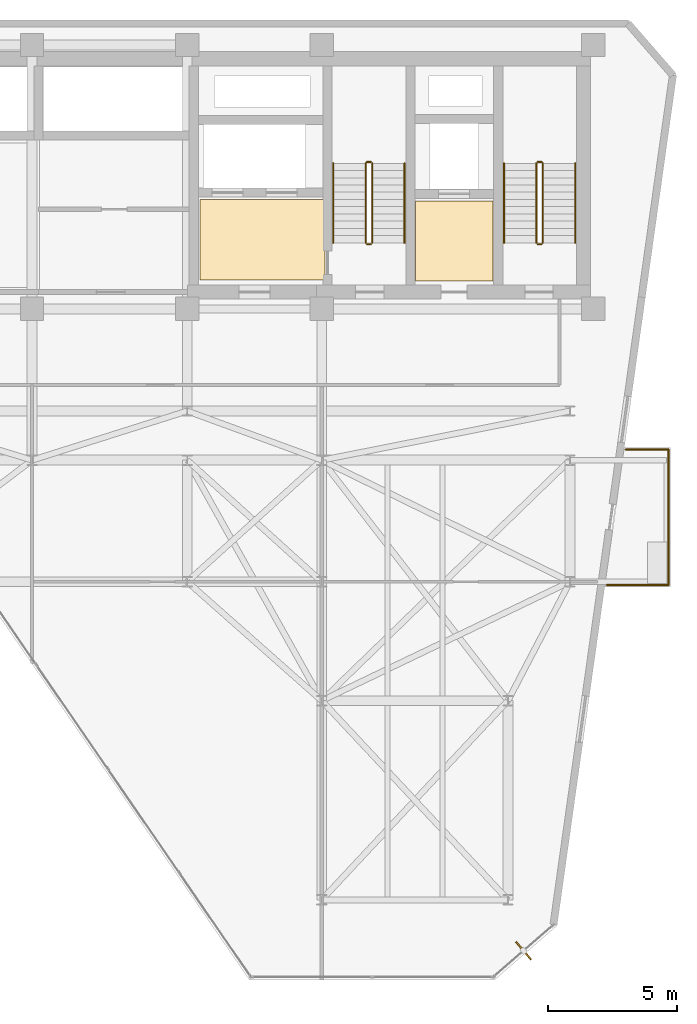
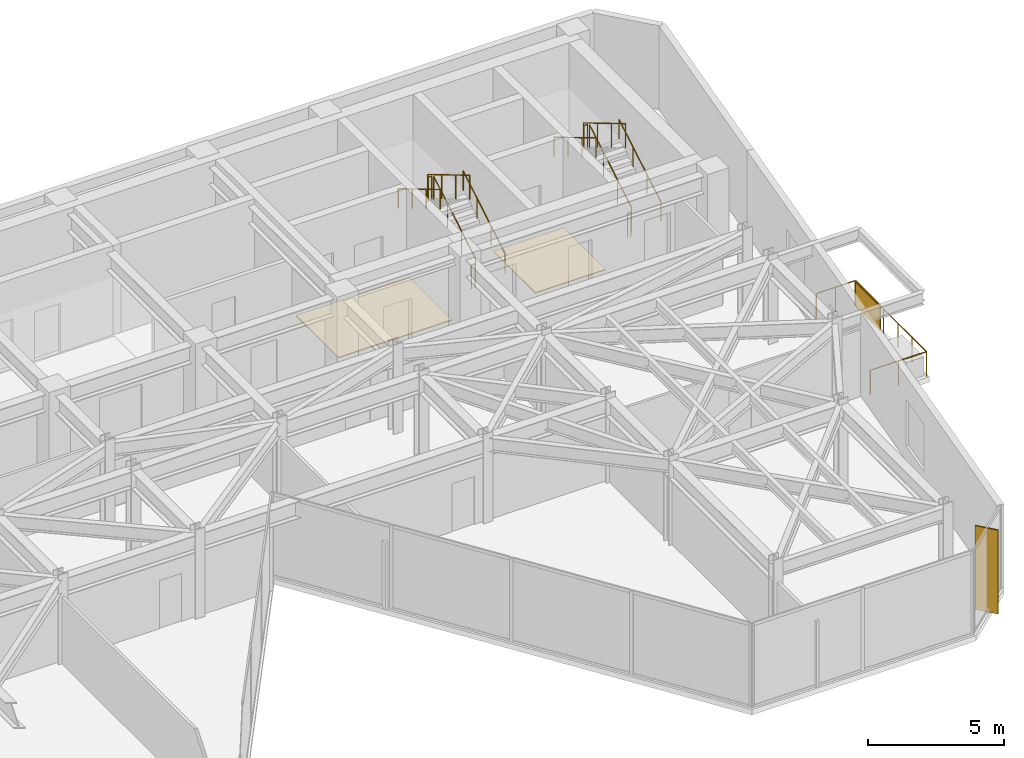
# One storey, part 26 of 26: 15 railings, 2 coverings, 2 shading devices.
"""IFC4 building model written with IfcOpenShell, lengths in metres."""

from ifc_helpers import new_model, si_unit, direction, frame, origin, origin_2d, place, context, subcontext, project, spatial, polyline, rectangle, circle, outline, extrude, material, layer, layer_set, type_object, element, save


model = new_model("IFC4")

# Units and contexts
model_context = context("Model", 3, precision=1e-05, world=origin(), true_north=direction((0.0, 1.0)))
body_context = subcontext(model_context, "Body", "Model", "MODEL_VIEW")
ifc_project = project(units=[si_unit("LENGTHUNIT", "METRE"), si_unit("AREAUNIT", "SQUARE_METRE"), si_unit("VOLUMEUNIT", "CUBIC_METRE"), si_unit("PLANEANGLEUNIT", "RADIAN"), si_unit("MASSUNIT", "GRAM", prefix="KILO")], contexts=[model_context])

# Site, building, storey
site_placement = place(None, origin())
site = spatial("IfcSite", under=ifc_project, at=site_placement, CompositionType="ELEMENT")
building_placement = place(site_placement, origin())
building = spatial("IfcBuilding", under=site, at=building_placement, Name="Kravanh Interchange Tower", CompositionType="ELEMENT")
storey_placement = place(building_placement, frame((0.0, 0.0, 204.5)))
storey = spatial("IfcBuildingStorey", under=building, at=storey_placement, Name="L49", CompositionType="ELEMENT", Elevation=204.5)

# Coverings
ifc_material_1 = material(Name="Cementitious Terrazzo Tile")
ifc_layer_1 = layer(ifc_material_1, 0.030029296875)
ifc_layer_set_1 = layer_set([ifc_layer_1], Name="Honed Terrazzo Lobby Flooring 30mm")
covering_type = type_object("IfcCoveringType", Name="Honed Terrazzo Lobby Flooring 30mm", PredefinedType="FLOORING", material=ifc_layer_set_1)
covering_1_placement = place(storey_placement, origin())
element("IfcCovering", 1, at=covering_1_placement, inside=storey, type_object=covering_type, Name="L49 Service Lift Lobby Floor Finish", PredefinedType="FLOORING", context=body_context, shape_type="SweptSolid", body=[
    extrude(outline(polyline([(59.6298828125, 41.52001953125), (62.6201171875, 41.52001953125), (62.6201171875, 38.429931640625), (59.6298828125, 38.429931640625), (59.6298828125, 41.52001953125)])), origin(), (0.0, 0.0, 1.0), 0.030029296875),
])
covering_2_placement = place(storey_placement, origin())
element("IfcCovering", 2, at=covering_2_placement, inside=storey, type_object=covering_type, Name="L49 Firefighting Lobby Floor Finish", PredefinedType="FLOORING", context=body_context, shape_type="SweptSolid", body=[
    extrude(outline(polyline([(56.1201171875, 38.4599609375), (51.300048828125, 38.4599609375), (51.300048828125, 41.580078125), (56.1201171875, 41.580078125), (56.1201171875, 38.4599609375)])), origin(), (0.0, 0.0, 1.0), 0.030029296875),
])

# Shading device
ifc_material_2 = material(Name="Perforated Anodised Bronze Aluminium", Category="aluminium")
ifc_layer_2 = layer(ifc_material_2, 0.0400390625)
ifc_layer_set_2 = layer_set([ifc_layer_2], Name="Perforated Bronze Balcony Privacy Screen 1150mm")
shading_device_type_1 = type_object("IfcShadingDeviceType", Name="Perforated Bronze Balcony Privacy Screen 1150mm", PredefinedType="USERDEFINED", material=ifc_layer_set_2)
shading_device_1_placement = place(storey_placement, frame((69.409912109375, 30.93994140625, 0.0), z_axis=(0.0, 0.0, 1.0), x_axis=(1.0, 0.0, 0.0)))
element("IfcShadingDevice", 3, at=shading_device_1_placement, inside=storey, type_object=shading_device_type_1, Name="L49 E Perforated Bronze BALCONY SCREEN", ObjectType="SCREEN", PredefinedType="USERDEFINED", context=body_context, shape_type="SweptSolid", body=[
    extrude(rectangle(XDim=0.0400390625, YDim=1.800048828125, at=origin_2d()), origin(), (0.0, 0.0, 1.0), 1.14990234375),
])

# Railings
ifc_material_3 = material(Name="Stainless Steel 316", Category="steel")
ifc_layer_3 = layer(ifc_material_3, 0.06005859375)
ifc_layer_set_3 = layer_set([ifc_layer_3], Name="Perimeter Balcony and Terrace Guardrail Stainless 316 1120mm")
railing_type_1 = type_object("IfcRailingType", Name="Perimeter Balcony and Terrace Guardrail Stainless 316 1120mm", PredefinedType="GUARDRAIL", material=ifc_layer_set_3)
railing_1_placement = place(storey_placement, frame((69.409912109375, 31.909912109375, 0.0)))
element("IfcRailing", 4, at=railing_1_placement, inside=storey, type_object=railing_type_1, Name="L49 E Balcony Guardrail 1", PredefinedType="GUARDRAIL", context=body_context, shape_type="SweptSolid", body=[
    extrude(circle(Radius=0.02392578125, at=origin_2d()), frame((0.0, 0.0, 1.09619140625), z_axis=(0.0, -1.0, 0.0), x_axis=(1.0, 0.0, 0.0)), (0.0, 0.0, 1.0), 5.239990234375),
    extrude(circle(Radius=0.02099609375, at=origin_2d()), origin(), (0.0, 0.0, 1.0), 1.072021484375),
    extrude(circle(Radius=0.02099609375, at=origin_2d()), frame((0.0, -1.048095703125, 0.0)), (0.0, 0.0, 1.0), 1.072021484375),
    extrude(circle(Radius=0.02099609375, at=origin_2d()), frame((0.0, -2.095947265625, 0.0)), (0.0, 0.0, 1.0), 1.072021484375),
    extrude(circle(Radius=0.02099609375, at=origin_2d()), frame((0.0, -3.14404296875, 0.0)), (0.0, 0.0, 1.0), 1.072021484375),
    extrude(circle(Radius=0.02099609375, at=origin_2d()), frame((0.0, -4.19189453125, 0.0)), (0.0, 0.0, 1.0), 1.072021484375),
    extrude(circle(Radius=0.02099609375, at=origin_2d()), frame((0.0, -5.239990234375, 0.0)), (0.0, 0.0, 1.0), 1.072021484375),
])
railing_2_placement = place(storey_placement, frame((69.409912109375, 26.669921875, 0.0)))
element("IfcRailing", 5, at=railing_2_placement, inside=storey, type_object=railing_type_1, Name="L49 E Balcony Guardrail 2", PredefinedType="GUARDRAIL", context=body_context, shape_type="SweptSolid", body=[
    extrude(circle(Radius=0.02392578125, at=origin_2d()), frame((0.0, 0.0, 1.09619140625), z_axis=(-1.0, 0.0, 0.0), x_axis=(0.0, -1.0, 0.0)), (0.0, 0.0, 1.0), 2.382080078125),
    extrude(circle(Radius=0.02099609375, at=origin_2d()), origin(), (0.0, 0.0, 1.0), 1.072021484375),
    extrude(circle(Radius=0.02099609375, at=origin_2d()), frame((-1.19091796875, 0.0, 0.0)), (0.0, 0.0, 1.0), 1.072021484375),
    extrude(circle(Radius=0.02099609375, at=origin_2d()), frame((-2.382080078125, 0.0, 0.0)), (0.0, 0.0, 1.0), 1.072021484375),
])
railing_3_placement = place(storey_placement, frame((67.764404296875, 31.909912109375, 0.0)))
element("IfcRailing", 6, at=railing_3_placement, inside=storey, type_object=railing_type_1, Name="L49 E Balcony Guardrail 3", PredefinedType="GUARDRAIL", context=body_context, shape_type="SweptSolid", body=[
    extrude(circle(Radius=0.02392578125, at=origin_2d()), frame((0.0, 0.0, 1.09619140625), z_axis=(1.0, 0.0, 0.0), x_axis=(0.0, 1.0, 0.0)), (0.0, 0.0, 1.0), 1.6455078125),
    extrude(circle(Radius=0.02099609375, at=origin_2d()), origin(), (0.0, 0.0, 1.0), 1.072021484375),
    extrude(circle(Radius=0.02099609375, at=origin_2d()), frame((0.82275390625, 0.0, 0.0)), (0.0, 0.0, 1.0), 1.072021484375),
    extrude(circle(Radius=0.02099609375, at=origin_2d()), frame((1.6455078125, 0.0, 0.0)), (0.0, 0.0, 1.0), 1.072021484375),
])
ifc_material_4 = material(Name="Structural Steel S355", Category="steel")
ifc_layer_4 = layer(ifc_material_4, 0.050048828125)
ifc_layer_set_4 = layer_set([ifc_layer_4], Name="Stair Well Guardrail Structural Steel S355 1100mm")
railing_type_2 = type_object("IfcRailingType", Name="Stair Well Guardrail Structural Steel S355 1100mm", PredefinedType="GUARDRAIL", material=ifc_layer_set_4)
railing_4_placement = place(storey_placement, frame((64.550048828125, 39.89990234375, 0.166748046875)))
element("IfcRailing", 7, at=railing_4_placement, inside=storey, type_object=railing_type_2, Name="L49 ST1 stair guard 1", PredefinedType="GUARDRAIL", context=body_context, shape_type="SweptSolid", body=[
    extrude(circle(Radius=0.02392578125, at=origin_2d()), frame((0.0, 0.0, 1.076171875), z_axis=(0.0, 0.859308565015, 0.511457515432), x_axis=(-1.0, 0.0, 0.0)), (0.0, 0.0, 1.0), 3.58447265625),
    extrude(circle(Radius=0.02099609375, at=origin_2d()), origin(), (0.0, 0.0, 1.0), 1.052001953125),
    extrude(circle(Radius=0.02099609375, at=origin_2d()), frame((0.0, 1.026611328125, 0.611083984375)), (0.0, 0.0, 1.0), 1.052001953125),
    extrude(circle(Radius=0.02099609375, at=origin_2d()), frame((0.0, 2.053466796875, 1.22216796875)), (0.0, 0.0, 1.0), 1.052001953125),
    extrude(circle(Radius=0.02099609375, at=origin_2d()), frame((0.0, 3.080078125, 1.833251953125)), (0.0, 0.0, 1.0), 1.052001953125),
])
railing_5_placement = place(storey_placement, frame((64.5, 43.030029296875, 2.0)))
element("IfcRailing", 8, at=railing_5_placement, inside=storey, type_object=railing_type_2, Name="L49 ST1 stair guard 2", PredefinedType="GUARDRAIL", context=body_context, shape_type="SweptSolid", body=[
    extrude(circle(Radius=0.02392578125, at=origin_2d()), frame((0.0, 0.0, 1.076171875), z_axis=(-1.0, 0.0, 0.0), x_axis=(0.0, -1.0, 0.0)), (0.0, 0.0, 1.0), 0.14990234375),
    extrude(circle(Radius=0.02099609375, at=origin_2d()), origin(), (0.0, 0.0, 1.0), 1.052001953125),
    extrude(circle(Radius=0.02099609375, at=origin_2d()), frame((-0.14990234375, 0.0, 0.0)), (0.0, 0.0, 1.0), 1.052001953125),
])
railing_6_placement = place(storey_placement, frame((64.300048828125, 42.97998046875, 2.166748046875)))
element("IfcRailing", 9, at=railing_6_placement, inside=storey, type_object=railing_type_2, Name="L49 ST1 stair guard 3", PredefinedType="GUARDRAIL", context=body_context, shape_type="SweptSolid", body=[
    extrude(circle(Radius=0.02392578125, at=origin_2d()), frame((0.0, 0.0, 1.076171875), z_axis=(0.0, -0.859308565015, 0.511457515432), x_axis=(1.0, 0.0, 0.0)), (0.0, 0.0, 1.0), 3.58447265625),
    extrude(circle(Radius=0.02099609375, at=origin_2d()), origin(), (0.0, 0.0, 1.0), 1.052001953125),
    extrude(circle(Radius=0.02099609375, at=origin_2d()), frame((0.0, -1.026611328125, 0.611083984375)), (0.0, 0.0, 1.0), 1.052001953125),
    extrude(circle(Radius=0.02099609375, at=origin_2d()), frame((0.0, -2.053466796875, 1.22216796875)), (0.0, 0.0, 1.0), 1.052001953125),
    extrude(circle(Radius=0.02099609375, at=origin_2d()), frame((0.0, -3.080078125, 1.833251953125)), (0.0, 0.0, 1.0), 1.052001953125),
])
railing_7_placement = place(storey_placement, frame((64.5, 39.85009765625, 0.0)))
element("IfcRailing", 10, at=railing_7_placement, inside=storey, type_object=railing_type_2, Name="L49 ST1 stair guard 4", PredefinedType="GUARDRAIL", context=body_context, shape_type="SweptSolid", body=[
    extrude(circle(Radius=0.02392578125, at=origin_2d()), frame((0.0, 0.0, 1.076171875), z_axis=(-1.0, 0.0, 0.0), x_axis=(0.0, -1.0, 0.0)), (0.0, 0.0, 1.0), 0.14990234375),
    extrude(circle(Radius=0.02099609375, at=origin_2d()), origin(), (0.0, 0.0, 1.0), 1.052001953125),
    extrude(circle(Radius=0.02099609375, at=origin_2d()), frame((-0.14990234375, 0.0, 0.0)), (0.0, 0.0, 1.0), 1.052001953125),
])
railing_8_placement = place(storey_placement, frame((57.949951171875, 39.89990234375, 0.166748046875)))
element("IfcRailing", 11, at=railing_8_placement, inside=storey, type_object=railing_type_2, Name="L49 ST2 stair guard 1", PredefinedType="GUARDRAIL", context=body_context, shape_type="SweptSolid", body=[
    extrude(circle(Radius=0.02392578125, at=origin_2d()), frame((0.0, 0.0, 1.076171875), z_axis=(0.0, 0.859308565015, 0.511457515432), x_axis=(-1.0, 0.0, 0.0)), (0.0, 0.0, 1.0), 3.58447265625),
    extrude(circle(Radius=0.02099609375, at=origin_2d()), origin(), (0.0, 0.0, 1.0), 1.052001953125),
    extrude(circle(Radius=0.02099609375, at=origin_2d()), frame((0.0, 1.026611328125, 0.611083984375)), (0.0, 0.0, 1.0), 1.052001953125),
    extrude(circle(Radius=0.02099609375, at=origin_2d()), frame((0.0, 2.053466796875, 1.22216796875)), (0.0, 0.0, 1.0), 1.052001953125),
    extrude(circle(Radius=0.02099609375, at=origin_2d()), frame((0.0, 3.080078125, 1.833251953125)), (0.0, 0.0, 1.0), 1.052001953125),
])
railing_9_placement = place(storey_placement, frame((57.89990234375, 43.030029296875, 2.0)))
element("IfcRailing", 12, at=railing_9_placement, inside=storey, type_object=railing_type_2, Name="L49 ST2 stair guard 2", PredefinedType="GUARDRAIL", context=body_context, shape_type="SweptSolid", body=[
    extrude(circle(Radius=0.02392578125, at=origin_2d()), frame((0.0, 0.0, 1.076171875), z_axis=(-1.0, 0.0, 0.0), x_axis=(0.0, -1.0, 0.0)), (0.0, 0.0, 1.0), 0.14990234375),
    extrude(circle(Radius=0.02099609375, at=origin_2d()), origin(), (0.0, 0.0, 1.0), 1.052001953125),
    extrude(circle(Radius=0.02099609375, at=origin_2d()), frame((-0.14990234375, 0.0, 0.0)), (0.0, 0.0, 1.0), 1.052001953125),
])
railing_10_placement = place(storey_placement, frame((57.699951171875, 42.97998046875, 2.166748046875)))
element("IfcRailing", 13, at=railing_10_placement, inside=storey, type_object=railing_type_2, Name="L49 ST2 stair guard 3", PredefinedType="GUARDRAIL", context=body_context, shape_type="SweptSolid", body=[
    extrude(circle(Radius=0.02392578125, at=origin_2d()), frame((0.0, 0.0, 1.076171875), z_axis=(0.0, -0.859308565015, 0.511457515432), x_axis=(1.0, 0.0, 0.0)), (0.0, 0.0, 1.0), 3.58447265625),
    extrude(circle(Radius=0.02099609375, at=origin_2d()), origin(), (0.0, 0.0, 1.0), 1.052001953125),
    extrude(circle(Radius=0.02099609375, at=origin_2d()), frame((0.0, -1.026611328125, 0.611083984375)), (0.0, 0.0, 1.0), 1.052001953125),
    extrude(circle(Radius=0.02099609375, at=origin_2d()), frame((0.0, -2.053466796875, 1.22216796875)), (0.0, 0.0, 1.0), 1.052001953125),
    extrude(circle(Radius=0.02099609375, at=origin_2d()), frame((0.0, -3.080078125, 1.833251953125)), (0.0, 0.0, 1.0), 1.052001953125),
])
railing_11_placement = place(storey_placement, frame((57.89990234375, 39.85009765625, 0.0)))
element("IfcRailing", 14, at=railing_11_placement, inside=storey, type_object=railing_type_2, Name="L49 ST2 stair guard 4", PredefinedType="GUARDRAIL", context=body_context, shape_type="SweptSolid", body=[
    extrude(circle(Radius=0.02392578125, at=origin_2d()), frame((0.0, 0.0, 1.076171875), z_axis=(-1.0, 0.0, 0.0), x_axis=(0.0, -1.0, 0.0)), (0.0, 0.0, 1.0), 0.14990234375),
    extrude(circle(Radius=0.02099609375, at=origin_2d()), origin(), (0.0, 0.0, 1.0), 1.052001953125),
    extrude(circle(Radius=0.02099609375, at=origin_2d()), frame((-0.14990234375, 0.0, 0.0)), (0.0, 0.0, 1.0), 1.052001953125),
])
ifc_material_5 = material(Name="Stainless Steel 304", Category="steel")
ifc_layer_5 = layer(ifc_material_5, 0.044921875)
ifc_layer_set_5 = layer_set([ifc_layer_5], Name="Tubular Stair Handrail Stainless 304 900mm")
railing_type_3 = type_object("IfcRailingType", Name="Tubular Stair Handrail Stainless 304 900mm", PredefinedType="HANDRAIL", material=ifc_layer_set_5)
railing_12_placement = place(storey_placement, frame((65.800048828125, 39.89990234375, 0.166748046875)))
element("IfcRailing", 15, at=railing_12_placement, inside=storey, type_object=railing_type_3, Name="L49 ST1 stair handrail 1", PredefinedType="HANDRAIL", context=body_context, shape_type="SweptSolid", body=[
    extrude(circle(Radius=0.02392578125, at=origin_2d()), frame((0.0, 0.0, 0.8759765625), z_axis=(0.0, 0.859308565015, 0.511457515432), x_axis=(-1.0, 0.0, 0.0)), (0.0, 0.0, 1.0), 3.58447265625),
    extrude(circle(Radius=0.02099609375, at=origin_2d()), origin(), (0.0, 0.0, 1.0), 0.851806640625),
    extrude(circle(Radius=0.02099609375, at=origin_2d()), frame((0.0, 1.026611328125, 0.611083984375)), (0.0, 0.0, 1.0), 0.851806640625),
    extrude(circle(Radius=0.02099609375, at=origin_2d()), frame((0.0, 2.053466796875, 1.22216796875)), (0.0, 0.0, 1.0), 0.851806640625),
    extrude(circle(Radius=0.02099609375, at=origin_2d()), frame((0.0, 3.080078125, 1.833251953125)), (0.0, 0.0, 1.0), 0.851806640625),
])
railing_13_placement = place(storey_placement, frame((63.050048828125, 42.97998046875, 2.166748046875)))
element("IfcRailing", 16, at=railing_13_placement, inside=storey, type_object=railing_type_3, Name="L49 ST1 stair handrail 2", PredefinedType="HANDRAIL", context=body_context, shape_type="SweptSolid", body=[
    extrude(circle(Radius=0.02392578125, at=origin_2d()), frame((0.0, 0.0, 0.8759765625), z_axis=(0.0, -0.859308565015, 0.511457515432), x_axis=(1.0, 0.0, 0.0)), (0.0, 0.0, 1.0), 3.58447265625),
    extrude(circle(Radius=0.02099609375, at=origin_2d()), origin(), (0.0, 0.0, 1.0), 0.851806640625),
    extrude(circle(Radius=0.02099609375, at=origin_2d()), frame((0.0, -1.026611328125, 0.611083984375)), (0.0, 0.0, 1.0), 0.851806640625),
    extrude(circle(Radius=0.02099609375, at=origin_2d()), frame((0.0, -2.053466796875, 1.22216796875)), (0.0, 0.0, 1.0), 0.851806640625),
    extrude(circle(Radius=0.02099609375, at=origin_2d()), frame((0.0, -3.080078125, 1.833251953125)), (0.0, 0.0, 1.0), 0.851806640625),
])
railing_14_placement = place(storey_placement, frame((59.199951171875, 39.89990234375, 0.166748046875)))
element("IfcRailing", 17, at=railing_14_placement, inside=storey, type_object=railing_type_3, Name="L49 ST2 stair handrail 1", PredefinedType="HANDRAIL", context=body_context, shape_type="SweptSolid", body=[
    extrude(circle(Radius=0.02392578125, at=origin_2d()), frame((0.0, 0.0, 0.8759765625), z_axis=(0.0, 0.859308565015, 0.511457515432), x_axis=(-1.0, 0.0, 0.0)), (0.0, 0.0, 1.0), 3.58447265625),
    extrude(circle(Radius=0.02099609375, at=origin_2d()), origin(), (0.0, 0.0, 1.0), 0.851806640625),
    extrude(circle(Radius=0.02099609375, at=origin_2d()), frame((0.0, 1.026611328125, 0.611083984375)), (0.0, 0.0, 1.0), 0.851806640625),
    extrude(circle(Radius=0.02099609375, at=origin_2d()), frame((0.0, 2.053466796875, 1.22216796875)), (0.0, 0.0, 1.0), 0.851806640625),
    extrude(circle(Radius=0.02099609375, at=origin_2d()), frame((0.0, 3.080078125, 1.833251953125)), (0.0, 0.0, 1.0), 0.851806640625),
])
railing_15_placement = place(storey_placement, frame((56.449951171875, 42.97998046875, 2.166748046875)))
element("IfcRailing", 18, at=railing_15_placement, inside=storey, type_object=railing_type_3, Name="L49 ST2 stair handrail 2", PredefinedType="HANDRAIL", context=body_context, shape_type="SweptSolid", body=[
    extrude(circle(Radius=0.02392578125, at=origin_2d()), frame((0.0, 0.0, 0.8759765625), z_axis=(0.0, -0.859308565015, 0.511457515432), x_axis=(1.0, 0.0, 0.0)), (0.0, 0.0, 1.0), 3.58447265625),
    extrude(circle(Radius=0.02099609375, at=origin_2d()), origin(), (0.0, 0.0, 1.0), 0.851806640625),
    extrude(circle(Radius=0.02099609375, at=origin_2d()), frame((0.0, -1.026611328125, 0.611083984375)), (0.0, 0.0, 1.0), 0.851806640625),
    extrude(circle(Radius=0.02099609375, at=origin_2d()), frame((0.0, -2.053466796875, 1.22216796875)), (0.0, 0.0, 1.0), 0.851806640625),
    extrude(circle(Radius=0.02099609375, at=origin_2d()), frame((0.0, -3.080078125, 1.833251953125)), (0.0, 0.0, 1.0), 0.851806640625),
])

# Shading device
ifc_material_6 = material(Name="Anodised Champagne Bronze Aluminium", Category="aluminium")
ifc_layer_6 = layer(ifc_material_6, 0.06005859375)
ifc_layer_set_6 = layer_set([ifc_layer_6], Name="Vertical Bronze Solar Fin 900mm")
shading_device_type_2 = type_object("IfcShadingDeviceType", Name="Vertical Bronze Solar Fin 900mm", PredefinedType="USERDEFINED", material=ifc_layer_set_6)
shading_device_2_placement = place(storey_placement, frame((63.80322265625, 12.530517578125, 0.0), z_axis=(0.0, 0.0, 1.0), x_axis=(0.656059988016, -0.754708746554, 0.0)))
element("IfcShadingDevice", 19, at=shading_device_2_placement, inside=storey, type_object=shading_device_type_2, Name="L49 BRONZE SOLAR FIN 2", ObjectType="FIN", PredefinedType="USERDEFINED", context=body_context, shape_type="SweptSolid", body=[
    extrude(rectangle(XDim=0.89990234375, YDim=0.06005859375, at=origin_2d()), origin(), (0.0, 0.0, 1.0), 3.7548828125),
])

save(model, "model.ifc")
